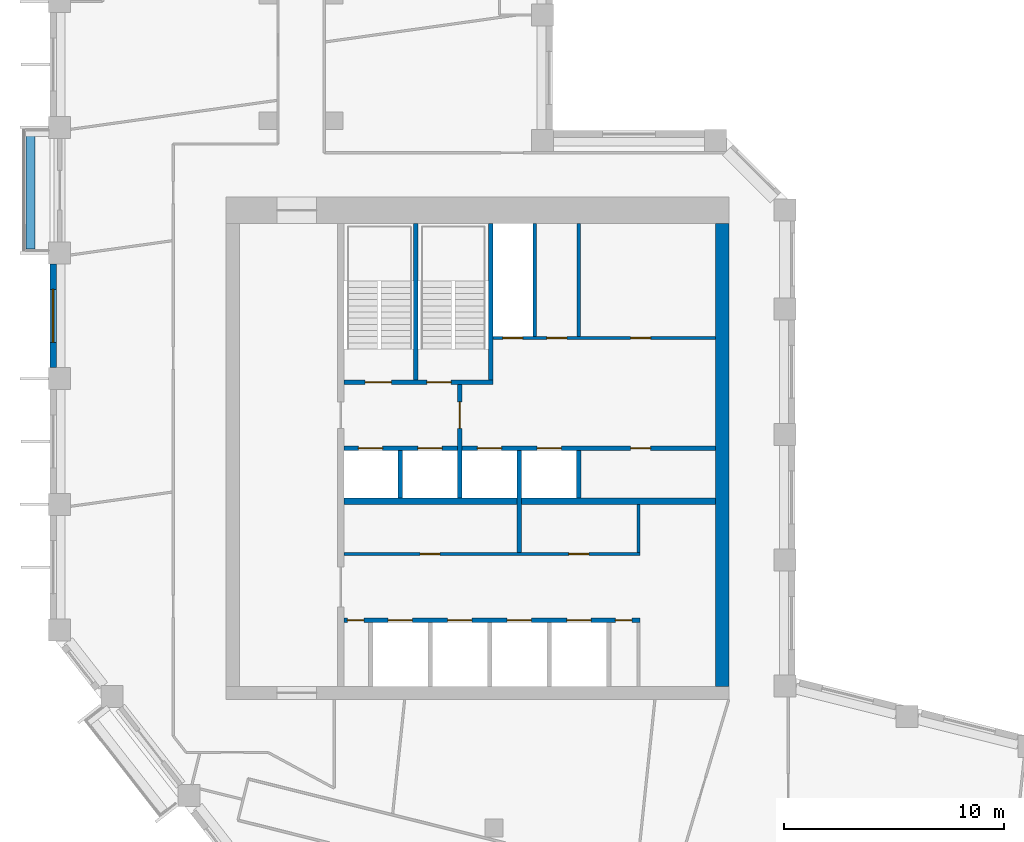
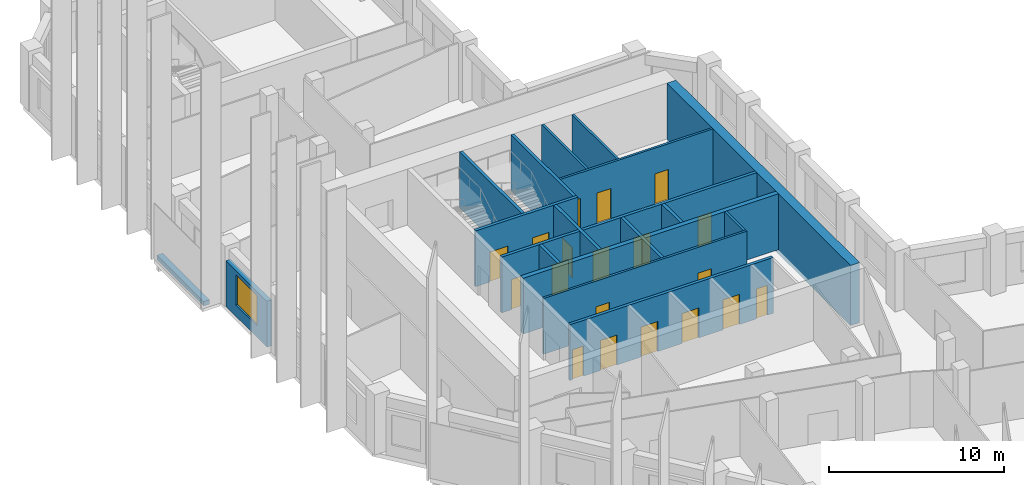
# One storey, part 5 of 9: 19 doors, 18 walls, 1 window, 20 openings.
"""IFC4 building model written with IfcOpenShell, lengths in metres."""

from ifc_helpers import new_model, si_unit, direction, frame, frame_2d, origin, place, context, subcontext, project, spatial, rectangle, extrude, material, layer, layer_set, type_object, element, fill, save


model = new_model("IFC4")

# Units and contexts
model_context = context("Model", 3, precision=1e-05, world=origin(), true_north=direction((0.0, 1.0)))
body_context = subcontext(model_context, "Body", "Model", "MODEL_VIEW")
ifc_project = project(units=[si_unit("LENGTHUNIT", "METRE"), si_unit("AREAUNIT", "SQUARE_METRE"), si_unit("VOLUMEUNIT", "CUBIC_METRE"), si_unit("PLANEANGLEUNIT", "RADIAN"), si_unit("MASSUNIT", "GRAM", prefix="KILO")], contexts=[model_context])

# Site, building, storey
site_placement = place(None, origin())
site = spatial("IfcSite", under=ifc_project, at=site_placement, CompositionType="ELEMENT")
building_placement = place(site_placement, origin())
building = spatial("IfcBuilding", under=site, at=building_placement, Name="Meshkara Civic Tower", CompositionType="ELEMENT")
storey_placement = place(building_placement, frame((0.0, 0.0, 323.39990234375)))
storey = spatial("IfcBuildingStorey", under=building, at=storey_placement, Name="L74", CompositionType="ELEMENT", Elevation=323.39990234375)

# Wall, openings, doors
ifc_material_1 = material(Name="Blockwork", Category="masonry")
ifc_layer_1 = layer(ifc_material_1, 0.14990234375)
ifc_layer_set_1 = layer_set([ifc_layer_1], Name="Core partition 150")
wall_type_1 = type_object("IfcWallType", Name="Core partition 150", PredefinedType="PARTITIONING", material=ifc_layer_set_1)
wall_1_placement = place(storey_placement, frame((13.35009765625, 20.699951171875, 0.0), z_axis=(0.0, 0.0, 1.0), x_axis=(1.0, 0.0, 0.0)))
wall_1 = element("IfcWall", 1, at=wall_1_placement, inside=storey, type_object=wall_type_1, Name="L74-C006", PredefinedType="PARTITIONING", context=body_context, shape_type="SweptSolid", body=[
    extrude(rectangle(XDim=13.4248046875, YDim=0.14990234375, at=frame_2d((6.71240234375, 0.0))), origin(), (0.0, 0.0, 1.0), 3.900146484375),
])
opening_1_placement = place(wall_1_placement, frame((3.449951171875, 0.0, 0.0)))
opening_1 = element("IfcOpeningElement", 2, at=opening_1_placement, cuts=wall_1, Name="Opening L74-K011", PredefinedType="OPENING", context=body_context, shape_type="SweptSolid", body=[
    extrude(rectangle(XDim=0.89990234375, YDim=2.10009765625, at=frame_2d((0.449951171875, 1.050048828125))), frame((0.0, 0.0849609375, 0.0), z_axis=(0.0, -1.0, 0.0), x_axis=(1.0, 0.0, 0.0)), (0.0, 0.0, 1.0), 0.169921875),
])
opening_2_placement = place(wall_1_placement, frame((10.199951171875, 0.0, 0.0)))
opening_2 = element("IfcOpeningElement", 3, at=opening_2_placement, cuts=wall_1, Name="Opening L74-K012", PredefinedType="OPENING", context=body_context, shape_type="SweptSolid", body=[
    extrude(rectangle(XDim=0.89990234375, YDim=2.10009765625, at=frame_2d((0.449951171875, 1.050048828125))), frame((0.0, 0.0849609375, 0.0), z_axis=(0.0, -1.0, 0.0), x_axis=(1.0, 0.0, 0.0)), (0.0, 0.0, 1.0), 0.169921875),
])
ifc_material_2 = material(Name="Timber door leaf in steel frame", Category="steel")
door_type_1 = type_object("IfcDoorType", Name="Core room door 900", OperationType="SINGLE_SWING_LEFT", PredefinedType="DOOR", material=ifc_material_2)
door_1_placement = place(opening_1_placement, origin())
door_1 = element("IfcDoor", 4, at=door_1_placement, inside=storey, type_object=door_type_1, Name="L74-K011", OperationType="SINGLE_SWING_RIGHT", OverallHeight=2.10009765625, OverallWidth=0.89990234375, PredefinedType="DOOR", context=body_context, shape_type="SweptSolid", body=[
    extrude(rectangle(XDim=0.89990234375, YDim=2.10009765625, at=frame_2d((0.449951171875, 1.050048828125))), frame((0.0, 0.02490234375, 0.0), z_axis=(0.0, -1.0, 0.0), x_axis=(1.0, 0.0, 0.0)), (0.0, 0.0, 1.0), 0.050048828125),
])
fill(opening_1, door_1)
door_2_placement = place(opening_2_placement, origin())
door_2 = element("IfcDoor", 5, at=door_2_placement, inside=storey, type_object=door_type_1, Name="L74-K012", OperationType="SINGLE_SWING_RIGHT", OverallHeight=2.10009765625, OverallWidth=0.89990234375, PredefinedType="DOOR", context=body_context, shape_type="SweptSolid", body=[
    extrude(rectangle(XDim=0.89990234375, YDim=2.10009765625, at=frame_2d((0.449951171875, 1.050048828125))), frame((0.0, 0.02490234375, 0.0), z_axis=(0.0, -1.0, 0.0), x_axis=(1.0, 0.0, 0.0)), (0.0, 0.0, 1.0), 0.050048828125),
])
fill(opening_2, door_2)

wall_2_placement = place(storey_placement, frame((20.10009765625, 30.5, 0.0), z_axis=(0.0, 0.0, 1.0), x_axis=(1.0, 0.0, 0.0)))
wall_2 = element("IfcWall", 6, at=wall_2_placement, inside=storey, type_object=wall_type_1, Name="L74-C010", PredefinedType="PARTITIONING", context=body_context, shape_type="SweptSolid", body=[
    extrude(rectangle(XDim=10.099853515625, YDim=0.14990234375, at=frame_2d((5.0498046875, 0.0))), origin(), (0.0, 0.0, 1.0), 3.900146484375),
])
opening_3_placement = place(wall_2_placement, frame((0.449951171875, 0.0, 0.0)))
opening_3 = element("IfcOpeningElement", 7, at=opening_3_placement, cuts=wall_2, Name="Opening L74-K014", PredefinedType="OPENING", context=body_context, shape_type="SweptSolid", body=[
    extrude(rectangle(XDim=0.89990234375, YDim=2.10009765625, at=frame_2d((0.449951171875, 1.050048828125))), frame((0.0, 0.0849609375, 0.0), z_axis=(0.0, -1.0, 0.0), x_axis=(1.0, 0.0, 0.0)), (0.0, 0.0, 1.0), 0.169921875),
])
opening_4_placement = place(wall_2_placement, frame((2.449951171875, 0.0, 0.0)))
opening_4 = element("IfcOpeningElement", 8, at=opening_4_placement, cuts=wall_2, Name="Opening L74-K015", PredefinedType="OPENING", context=body_context, shape_type="SweptSolid", body=[
    extrude(rectangle(XDim=0.89990234375, YDim=2.10009765625, at=frame_2d((0.449951171875, 1.050048828125))), frame((0.0, 0.0849609375, 0.0), z_axis=(0.0, -1.0, 0.0), x_axis=(1.0, 0.0, 0.0)), (0.0, 0.0, 1.0), 0.169921875),
])
opening_5_placement = place(wall_2_placement, frame((6.25, 0.0, 0.0)))
opening_5 = element("IfcOpeningElement", 9, at=opening_5_placement, cuts=wall_2, Name="Opening L74-K016", PredefinedType="OPENING", context=body_context, shape_type="SweptSolid", body=[
    extrude(rectangle(XDim=0.89990234375, YDim=2.10009765625, at=frame_2d((0.449951171875, 1.050048828125))), frame((0.0, 0.0849609375, 0.0), z_axis=(0.0, -1.0, 0.0), x_axis=(1.0, 0.0, 0.0)), (0.0, 0.0, 1.0), 0.169921875),
])
door_3_placement = place(opening_5_placement, origin())
door_3 = element("IfcDoor", 10, at=door_3_placement, inside=storey, type_object=door_type_1, Name="L74-K016", OperationType="SINGLE_SWING_RIGHT", OverallHeight=2.10009765625, OverallWidth=0.89990234375, PredefinedType="DOOR", context=body_context, shape_type="SweptSolid", body=[
    extrude(rectangle(XDim=0.89990234375, YDim=2.10009765625, at=frame_2d((0.449951171875, 1.050048828125))), frame((0.0, 0.02490234375, 0.0), z_axis=(0.0, -1.0, 0.0), x_axis=(1.0, 0.0, 0.0)), (0.0, 0.0, 1.0), 0.050048828125),
])
fill(opening_5, door_3)
ifc_material_3 = material(Name="Fire-rated door leaf in steel frame", Category="steel")
door_type_2 = type_object("IfcDoorType", Name="Riser door 900", OperationType="SINGLE_SWING_LEFT", PredefinedType="DOOR", material=ifc_material_3)
door_4_placement = place(opening_3_placement, origin())
door_4 = element("IfcDoor", 11, at=door_4_placement, inside=storey, type_object=door_type_2, Name="L74-K014", OperationType="SINGLE_SWING_RIGHT", OverallHeight=2.10009765625, OverallWidth=0.89990234375, PredefinedType="DOOR", context=body_context, shape_type="SweptSolid", body=[
    extrude(rectangle(XDim=0.89990234375, YDim=2.10009765625, at=frame_2d((0.449951171875, 1.050048828125))), frame((0.0, 0.02490234375, 0.0), z_axis=(0.0, -1.0, 0.0), x_axis=(1.0, 0.0, 0.0)), (0.0, 0.0, 1.0), 0.050048828125),
])
fill(opening_3, door_4)
ifc_material_4 = material(Name="Timber door leaf in steel frame", Category="steel")
door_type_3 = type_object("IfcDoorType", Name="WC door 900", OperationType="SINGLE_SWING_LEFT", PredefinedType="DOOR", material=ifc_material_4)
door_5_placement = place(opening_4_placement, origin())
door_5 = element("IfcDoor", 12, at=door_5_placement, inside=storey, type_object=door_type_3, Name="L74-K015", OperationType="SINGLE_SWING_LEFT", OverallHeight=2.10009765625, OverallWidth=0.89990234375, PredefinedType="DOOR", context=body_context, shape_type="SweptSolid", body=[
    extrude(rectangle(XDim=0.89990234375, YDim=2.10009765625, at=frame_2d((0.449951171875, 1.050048828125))), frame((0.0, 0.02490234375, 0.0), z_axis=(0.0, -1.0, 0.0), x_axis=(1.0, 0.0, 0.0)), (0.0, 0.0, 1.0), 0.050048828125),
])
fill(opening_4, door_5)

# Walls
for number, where, z_axis, x_axis, name in (
    (13, (22.0, 30.574951171875, 0.0), (0.0, 0.0, 1.0), (0.0, 1.0, 0.0), "L74-C020"),
    (14, (24.0, 30.574951171875, 0.0), (0.0, 0.0, 1.0), (0.0, 1.0, 0.0), "L74-C023"),
):
    element("IfcWall", number, at=place(storey_placement, frame(where, z_axis=z_axis, x_axis=x_axis)), inside=storey, type_object=wall_type_1, Name=name, PredefinedType="PARTITIONING", context=body_context, shape_type="SweptSolid", body=[
        extrude(rectangle(XDim=5.125, YDim=0.14990234375, at=frame_2d((2.5625, 0.0))), origin(), (0.0, 0.0, 1.0), 3.900146484375),
    ])
wall_3_placement = place(storey_placement, frame((26.699951171875, 20.77490234375, 0.0), z_axis=(0.0, 0.0, 1.0), x_axis=(0.0, 1.0, 0.0)))
element("IfcWall", 15, at=wall_3_placement, inside=storey, type_object=wall_type_1, Name="L74-C026", PredefinedType="PARTITIONING", context=body_context, shape_type="SweptSolid", body=[
    extrude(rectangle(XDim=2.175048828125, YDim=0.14990234375, at=frame_2d((1.08740234375, 0.0))), origin(), (0.0, 0.0, 1.0), 3.900146484375),
])
ifc_material_5 = material(Name="Concrete C60", Category="concrete")
ifc_layer_2 = layer(ifc_material_5, 0.60009765625)
ifc_layer_set_2 = layer_set([ifc_layer_2], Name="Core ring wall 600 C60")
wall_type_2 = type_object("IfcWallType", Name="Core ring wall 600 C60", PredefinedType="SHEAR", material=ifc_layer_set_2)
wall_4_placement = place(storey_placement, frame((30.5, 14.699951171875, -0.2998046875), z_axis=(0.0, 0.0, 1.0), x_axis=(0.0, 1.0, 0.0)))
element("IfcWall", 16, at=wall_4_placement, inside=storey, type_object=wall_type_2, Name="L74-C004", PredefinedType="SHEAR", context=body_context, shape_type="SweptSolid", body=[
    extrude(rectangle(XDim=21.0, YDim=0.60009765625, at=frame_2d((10.5, 0.0))), origin(), (0.0, 0.0, 1.0), 4.199951171875),
])
ifc_material_6 = material(Name="Concrete C60", Category="concrete")
ifc_layer_3 = layer(ifc_material_6, 0.300048828125)
ifc_layer_set_3 = layer_set([ifc_layer_3], Name="Core shear wall 300 C60")
wall_type_3 = type_object("IfcWallType", Name="Core shear wall 300 C60", PredefinedType="SHEAR", material=ifc_layer_set_3)
wall_5_placement = place(storey_placement, frame((13.35009765625, 23.10009765625, 0.0), z_axis=(0.0, 0.0, 1.0), x_axis=(1.0, 0.0, 0.0)))
element("IfcWall", 17, at=wall_5_placement, inside=storey, type_object=wall_type_3, Name="L74-C007", PredefinedType="SHEAR", context=body_context, shape_type="SweptSolid", body=[
    extrude(rectangle(XDim=16.849853515625, YDim=0.300048828125, at=frame_2d((8.4248046875, 0.0))), origin(), (0.0, 0.0, 1.0), 3.900146484375),
])

# Wall, opening, window
ifc_material_7 = material(Name="Insulated infill panel with bronze anodised aluminium cladding", Category="aluminium")
ifc_layer_4 = layer(ifc_material_7, 0.300048828125)
ifc_layer_set_4 = layer_set([ifc_layer_4], Name="EXTERNAL INFILL WALL 300")
wall_type_4 = type_object("IfcWallType", Name="EXTERNAL INFILL WALL 300", PredefinedType="SOLIDWALL", material=ifc_layer_set_4)
wall_6_placement = place(storey_placement, frame((0.14990234375, 33.85498046875, 0.0), z_axis=(0.0, 0.0, 1.0), x_axis=(0.0, -1.0, 0.0)))
wall_6 = element("IfcWall", 18, at=wall_6_placement, inside=storey, type_object=wall_type_4, Name="External wall", PredefinedType="SOLIDWALL", context=body_context, shape_type="SweptSolid", body=[
    extrude(rectangle(XDim=4.699951171875, YDim=0.300048828125, at=frame_2d((2.35009765625, 0.0))), origin(), (0.0, 0.0, 1.0), 3.2001953125),
])
opening_6_placement = place(wall_6_placement, frame((1.14990234375, 0.0, 0.800048828125)))
opening_6 = element("IfcOpeningElement", 19, at=opening_6_placement, cuts=wall_6, Name="Opening W7", PredefinedType="OPENING", context=body_context, shape_type="SweptSolid", body=[
    extrude(rectangle(XDim=2.39990234375, YDim=2.10009765625, at=frame_2d((1.199951171875, 1.050048828125))), frame((0.0, 0.159912109375, 0.0), z_axis=(0.0, -1.0, 0.0), x_axis=(1.0, 0.0, 0.0)), (0.0, 0.0, 1.0), 0.320068359375),
])
ifc_material_8 = material(Name="Tinted double glazing", Category="glass")
window_type = type_object("IfcWindowType", Name="WINDOW 2400x2100", PartitioningType="DOUBLE_PANEL_VERTICAL", PredefinedType="WINDOW", material=ifc_material_8)
window_placement = place(opening_6_placement, origin())
window = element("IfcWindow", 20, at=window_placement, inside=storey, type_object=window_type, Name="Window", OverallHeight=2.10009765625, OverallWidth=2.39990234375, PartitioningType="DOUBLE_PANEL_VERTICAL", PredefinedType="WINDOW", context=body_context, shape_type="SweptSolid", body=[
    extrude(rectangle(XDim=2.39990234375, YDim=2.10009765625, at=frame_2d((1.199951171875, 1.050048828125))), frame((0.0, 0.030029296875, 0.0), z_axis=(0.0, -1.0, 0.0), x_axis=(1.0, 0.0, 0.0)), (0.0, 0.0, 1.0), 0.06005859375),
])
fill(opening_6, window)

# Wall
ifc_material_9 = material(Name="Concrete C40", Category="concrete")
ifc_layer_5 = layer(ifc_material_9, 0.39990234375)
ifc_layer_set_5 = layer_set([ifc_layer_5], Name="PLANTER TRAY")
wall_type_5 = type_object("IfcWallType", Name="PLANTER TRAY", PredefinedType="SOLIDWALL", material=ifc_layer_set_5)
wall_7_placement = place(storey_placement, frame((-0.8798828125, 39.885009765625, 0.0), z_axis=(0.0, 0.0, 1.0), x_axis=(0.0, -1.0, 0.0)))
element("IfcWall", 21, at=wall_7_placement, inside=storey, type_object=wall_type_5, Name="Planter", PredefinedType="SOLIDWALL", context=body_context, shape_type="SweptSolid", body=[
    extrude(rectangle(XDim=5.360107421875, YDim=0.39990234375, at=frame_2d((2.68017578125, 0.0))), origin(), (0.0, 0.0, 1.0), 0.300048828125),
])

# Wall, openings, doors
ifc_material_10 = material(Name="Concrete C40/50", Category="concrete")
ifc_layer_6 = layer(ifc_material_10, 0.199951171875)
ifc_layer_set_6 = layer_set([ifc_layer_6], Name="Shaft wall 200 C40/50")
wall_type_6 = type_object("IfcWallType", Name="Shaft wall 200 C40/50", PredefinedType="SOLIDWALL", material=ifc_layer_set_6)
wall_8_placement = place(storey_placement, frame((13.35009765625, 17.699951171875, 0.0), z_axis=(0.0, 0.0, 1.0), x_axis=(1.0, 0.0, 0.0)))
wall_8 = element("IfcWall", 22, at=wall_8_placement, inside=storey, type_object=wall_type_6, Name="L74-C005", PredefinedType="SOLIDWALL", context=body_context, shape_type="SweptSolid", body=[
    extrude(rectangle(XDim=13.4248046875, YDim=0.199951171875, at=frame_2d((6.71240234375, 0.0))), origin(), (0.0, 0.0, 1.0), 3.900146484375),
])
opening_7_placement = place(wall_8_placement, frame((2.0, 0.0, 0.0)))
opening_7 = element("IfcOpeningElement", 23, at=opening_7_placement, cuts=wall_8, Name="Opening L74-K001", PredefinedType="OPENING", context=body_context, shape_type="SweptSolid", body=[
    extrude(rectangle(XDim=1.10009765625, YDim=2.10009765625, at=frame_2d((0.550048828125, 1.050048828125))), frame((0.0, 0.10986328125, 0.0), z_axis=(0.0, -1.0, 0.0), x_axis=(1.0, 0.0, 0.0)), (0.0, 0.0, 1.0), 0.219970703125),
])
opening_8_placement = place(wall_8_placement, frame((4.699951171875, 0.0, 0.0)))
opening_8 = element("IfcOpeningElement", 24, at=opening_8_placement, cuts=wall_8, Name="Opening L74-K002", PredefinedType="OPENING", context=body_context, shape_type="SweptSolid", body=[
    extrude(rectangle(XDim=1.10009765625, YDim=2.10009765625, at=frame_2d((0.550048828125, 1.050048828125))), frame((0.0, 0.10986328125, 0.0), z_axis=(0.0, -1.0, 0.0), x_axis=(1.0, 0.0, 0.0)), (0.0, 0.0, 1.0), 0.219970703125),
])
opening_9_placement = place(wall_8_placement, frame((7.39990234375, 0.0, 0.0)))
opening_9 = element("IfcOpeningElement", 25, at=opening_9_placement, cuts=wall_8, Name="Opening L74-K003", PredefinedType="OPENING", context=body_context, shape_type="SweptSolid", body=[
    extrude(rectangle(XDim=1.10009765625, YDim=2.10009765625, at=frame_2d((0.550048828125, 1.050048828125))), frame((0.0, 0.10986328125, 0.0), z_axis=(0.0, -1.0, 0.0), x_axis=(1.0, 0.0, 0.0)), (0.0, 0.0, 1.0), 0.219970703125),
])
opening_10_placement = place(wall_8_placement, frame((10.10009765625, 0.0, 0.0)))
opening_10 = element("IfcOpeningElement", 26, at=opening_10_placement, cuts=wall_8, Name="Opening L74-K004", PredefinedType="OPENING", context=body_context, shape_type="SweptSolid", body=[
    extrude(rectangle(XDim=1.10009765625, YDim=2.10009765625, at=frame_2d((0.550048828125, 1.050048828125))), frame((0.0, 0.10986328125, 0.0), z_axis=(0.0, -1.0, 0.0), x_axis=(1.0, 0.0, 0.0)), (0.0, 0.0, 1.0), 0.219970703125),
])
opening_11_placement = place(wall_8_placement, frame((0.14990234375, 0.0, 0.0)))
opening_11 = element("IfcOpeningElement", 27, at=opening_11_placement, cuts=wall_8, Name="Opening L74-K009", PredefinedType="OPENING", context=body_context, shape_type="SweptSolid", body=[
    extrude(rectangle(XDim=0.75, YDim=2.10009765625, at=frame_2d((0.375, 1.050048828125))), frame((0.0, 0.10986328125, 0.0), z_axis=(0.0, -1.0, 0.0), x_axis=(1.0, 0.0, 0.0)), (0.0, 0.0, 1.0), 0.219970703125),
])
opening_12_placement = place(wall_8_placement, frame((12.300048828125, 0.0, 0.0)))
opening_12 = element("IfcOpeningElement", 28, at=opening_12_placement, cuts=wall_8, Name="Opening L74-K010", PredefinedType="OPENING", context=body_context, shape_type="SweptSolid", body=[
    extrude(rectangle(XDim=0.75, YDim=2.10009765625, at=frame_2d((0.375, 1.050048828125))), frame((0.0, 0.10986328125, 0.0), z_axis=(0.0, -1.0, 0.0), x_axis=(1.0, 0.0, 0.0)), (0.0, 0.0, 1.0), 0.219970703125),
])
ifc_material_11 = material(Name="Timber door leaf in steel frame", Category="steel")
door_type_4 = type_object("IfcDoorType", Name="Core room door 750", OperationType="SINGLE_SWING_LEFT", PredefinedType="DOOR", material=ifc_material_11)
door_6_placement = place(opening_11_placement, origin())
door_6 = element("IfcDoor", 29, at=door_6_placement, inside=storey, type_object=door_type_4, Name="L74-K009", OperationType="SINGLE_SWING_RIGHT", OverallHeight=2.10009765625, OverallWidth=0.75, PredefinedType="DOOR", context=body_context, shape_type="SweptSolid", body=[
    extrude(rectangle(XDim=0.75, YDim=2.10009765625, at=frame_2d((0.375, 1.050048828125))), frame((0.0, 0.02490234375, 0.0), z_axis=(0.0, -1.0, 0.0), x_axis=(1.0, 0.0, 0.0)), (0.0, 0.0, 1.0), 0.050048828125),
])
fill(opening_11, door_6)
door_7_placement = place(opening_12_placement, origin())
door_7 = element("IfcDoor", 30, at=door_7_placement, inside=storey, type_object=door_type_4, Name="L74-K010", OperationType="SINGLE_SWING_RIGHT", OverallHeight=2.10009765625, OverallWidth=0.75, PredefinedType="DOOR", context=body_context, shape_type="SweptSolid", body=[
    extrude(rectangle(XDim=0.75, YDim=2.10009765625, at=frame_2d((0.375, 1.050048828125))), frame((0.0, 0.02490234375, 0.0), z_axis=(0.0, -1.0, 0.0), x_axis=(1.0, 0.0, 0.0)), (0.0, 0.0, 1.0), 0.050048828125),
])
fill(opening_12, door_7)
ifc_material_12 = material(Name="Stainless steel landing door", Category="steel")
door_type_5 = type_object("IfcDoorType", Name="Lift landing door 1100", OperationType="SLIDING_TO_LEFT", PredefinedType="DOOR", material=ifc_material_12)
door_8_placement = place(opening_7_placement, origin())
door_8 = element("IfcDoor", 31, at=door_8_placement, inside=storey, type_object=door_type_5, Name="L74-K001", OperationType="SLIDING_TO_LEFT", OverallHeight=2.10009765625, OverallWidth=1.10009765625, PredefinedType="DOOR", context=body_context, shape_type="SweptSolid", body=[
    extrude(rectangle(XDim=1.10009765625, YDim=2.10009765625, at=frame_2d((0.550048828125, 1.050048828125))), frame((0.0, 0.02490234375, 0.0), z_axis=(0.0, -1.0, 0.0), x_axis=(1.0, 0.0, 0.0)), (0.0, 0.0, 1.0), 0.050048828125),
])
fill(opening_7, door_8)
door_9_placement = place(opening_8_placement, origin())
door_9 = element("IfcDoor", 32, at=door_9_placement, inside=storey, type_object=door_type_5, Name="L74-K002", OperationType="SLIDING_TO_LEFT", OverallHeight=2.10009765625, OverallWidth=1.10009765625, PredefinedType="DOOR", context=body_context, shape_type="SweptSolid", body=[
    extrude(rectangle(XDim=1.10009765625, YDim=2.10009765625, at=frame_2d((0.550048828125, 1.050048828125))), frame((0.0, 0.02490234375, 0.0), z_axis=(0.0, -1.0, 0.0), x_axis=(1.0, 0.0, 0.0)), (0.0, 0.0, 1.0), 0.050048828125),
])
fill(opening_8, door_9)
door_10_placement = place(opening_9_placement, origin())
door_10 = element("IfcDoor", 33, at=door_10_placement, inside=storey, type_object=door_type_5, Name="L74-K003", OperationType="SLIDING_TO_LEFT", OverallHeight=2.10009765625, OverallWidth=1.10009765625, PredefinedType="DOOR", context=body_context, shape_type="SweptSolid", body=[
    extrude(rectangle(XDim=1.10009765625, YDim=2.10009765625, at=frame_2d((0.550048828125, 1.050048828125))), frame((0.0, 0.02490234375, 0.0), z_axis=(0.0, -1.0, 0.0), x_axis=(1.0, 0.0, 0.0)), (0.0, 0.0, 1.0), 0.050048828125),
])
fill(opening_9, door_10)
door_11_placement = place(opening_10_placement, origin())
door_11 = element("IfcDoor", 34, at=door_11_placement, inside=storey, type_object=door_type_5, Name="L74-K004", OperationType="SLIDING_TO_LEFT", OverallHeight=2.10009765625, OverallWidth=1.10009765625, PredefinedType="DOOR", context=body_context, shape_type="SweptSolid", body=[
    extrude(rectangle(XDim=1.10009765625, YDim=2.10009765625, at=frame_2d((0.550048828125, 1.050048828125))), frame((0.0, 0.02490234375, 0.0), z_axis=(0.0, -1.0, 0.0), x_axis=(1.0, 0.0, 0.0)), (0.0, 0.0, 1.0), 0.050048828125),
])
fill(opening_10, door_11)

wall_9_placement = place(storey_placement, frame((13.35009765625, 25.5, 0.0), z_axis=(0.0, 0.0, 1.0), x_axis=(1.0, 0.0, 0.0)))
wall_9 = element("IfcWall", 35, at=wall_9_placement, inside=storey, type_object=wall_type_6, Name="L74-C008", PredefinedType="SOLIDWALL", context=body_context, shape_type="SweptSolid", body=[
    extrude(rectangle(XDim=16.849853515625, YDim=0.199951171875, at=frame_2d((8.4248046875, 0.0))), origin(), (0.0, 0.0, 1.0), 3.900146484375),
])
opening_13_placement = place(wall_9_placement, frame((0.64990234375, 0.0, 0.0)))
opening_13 = element("IfcOpeningElement", 36, at=opening_13_placement, cuts=wall_9, Name="Opening L74-K005", PredefinedType="OPENING", context=body_context, shape_type="SweptSolid", body=[
    extrude(rectangle(XDim=1.10009765625, YDim=2.10009765625, at=frame_2d((0.550048828125, 1.050048828125))), frame((0.0, 0.10986328125, 0.0), z_axis=(0.0, -1.0, 0.0), x_axis=(1.0, 0.0, 0.0)), (0.0, 0.0, 1.0), 0.219970703125),
])
opening_14_placement = place(wall_9_placement, frame((3.35009765625, 0.0, 0.0)))
opening_14 = element("IfcOpeningElement", 37, at=opening_14_placement, cuts=wall_9, Name="Opening L74-K006", PredefinedType="OPENING", context=body_context, shape_type="SweptSolid", body=[
    extrude(rectangle(XDim=1.10009765625, YDim=2.10009765625, at=frame_2d((0.550048828125, 1.050048828125))), frame((0.0, 0.10986328125, 0.0), z_axis=(0.0, -1.0, 0.0), x_axis=(1.0, 0.0, 0.0)), (0.0, 0.0, 1.0), 0.219970703125),
])
opening_15_placement = place(wall_9_placement, frame((6.050048828125, 0.0, 0.0)))
opening_15 = element("IfcOpeningElement", 38, at=opening_15_placement, cuts=wall_9, Name="Opening L74-K007", PredefinedType="OPENING", context=body_context, shape_type="SweptSolid", body=[
    extrude(rectangle(XDim=1.10009765625, YDim=2.10009765625, at=frame_2d((0.550048828125, 1.050048828125))), frame((0.0, 0.10986328125, 0.0), z_axis=(0.0, -1.0, 0.0), x_axis=(1.0, 0.0, 0.0)), (0.0, 0.0, 1.0), 0.219970703125),
])
opening_16_placement = place(wall_9_placement, frame((8.75, 0.0, 0.0)))
opening_16 = element("IfcOpeningElement", 39, at=opening_16_placement, cuts=wall_9, Name="Opening L74-K008", PredefinedType="OPENING", context=body_context, shape_type="SweptSolid", body=[
    extrude(rectangle(XDim=1.10009765625, YDim=2.10009765625, at=frame_2d((0.550048828125, 1.050048828125))), frame((0.0, 0.10986328125, 0.0), z_axis=(0.0, -1.0, 0.0), x_axis=(1.0, 0.0, 0.0)), (0.0, 0.0, 1.0), 0.219970703125),
])
opening_17_placement = place(wall_9_placement, frame((13.0, 0.0, 0.0)))
opening_17 = element("IfcOpeningElement", 40, at=opening_17_placement, cuts=wall_9, Name="Opening L74-K013", PredefinedType="OPENING", context=body_context, shape_type="SweptSolid", body=[
    extrude(rectangle(XDim=0.89990234375, YDim=2.10009765625, at=frame_2d((0.449951171875, 1.050048828125))), frame((0.0, 0.10986328125, 0.0), z_axis=(0.0, -1.0, 0.0), x_axis=(1.0, 0.0, 0.0)), (0.0, 0.0, 1.0), 0.219970703125),
])
door_12_placement = place(opening_17_placement, origin())
door_12 = element("IfcDoor", 41, at=door_12_placement, inside=storey, type_object=door_type_1, Name="L74-K013", OperationType="SINGLE_SWING_LEFT", OverallHeight=2.10009765625, OverallWidth=0.89990234375, PredefinedType="DOOR", context=body_context, shape_type="SweptSolid", body=[
    extrude(rectangle(XDim=0.89990234375, YDim=2.10009765625, at=frame_2d((0.449951171875, 1.050048828125))), frame((0.0, 0.02490234375, 0.0), z_axis=(0.0, -1.0, 0.0), x_axis=(1.0, 0.0, 0.0)), (0.0, 0.0, 1.0), 0.050048828125),
])
fill(opening_17, door_12)
door_13_placement = place(opening_13_placement, origin())
door_13 = element("IfcDoor", 42, at=door_13_placement, inside=storey, type_object=door_type_5, Name="L74-K005", OperationType="SLIDING_TO_LEFT", OverallHeight=2.10009765625, OverallWidth=1.10009765625, PredefinedType="DOOR", context=body_context, shape_type="SweptSolid", body=[
    extrude(rectangle(XDim=1.10009765625, YDim=2.10009765625, at=frame_2d((0.550048828125, 1.050048828125))), frame((0.0, 0.02490234375, 0.0), z_axis=(0.0, -1.0, 0.0), x_axis=(1.0, 0.0, 0.0)), (0.0, 0.0, 1.0), 0.050048828125),
])
fill(opening_13, door_13)
door_14_placement = place(opening_14_placement, origin())
door_14 = element("IfcDoor", 43, at=door_14_placement, inside=storey, type_object=door_type_5, Name="L74-K006", OperationType="SLIDING_TO_LEFT", OverallHeight=2.10009765625, OverallWidth=1.10009765625, PredefinedType="DOOR", context=body_context, shape_type="SweptSolid", body=[
    extrude(rectangle(XDim=1.10009765625, YDim=2.10009765625, at=frame_2d((0.550048828125, 1.050048828125))), frame((0.0, 0.02490234375, 0.0), z_axis=(0.0, -1.0, 0.0), x_axis=(1.0, 0.0, 0.0)), (0.0, 0.0, 1.0), 0.050048828125),
])
fill(opening_14, door_14)
door_15_placement = place(opening_15_placement, origin())
door_15 = element("IfcDoor", 44, at=door_15_placement, inside=storey, type_object=door_type_5, Name="L74-K007", OperationType="SLIDING_TO_LEFT", OverallHeight=2.10009765625, OverallWidth=1.10009765625, PredefinedType="DOOR", context=body_context, shape_type="SweptSolid", body=[
    extrude(rectangle(XDim=1.10009765625, YDim=2.10009765625, at=frame_2d((0.550048828125, 1.050048828125))), frame((0.0, 0.02490234375, 0.0), z_axis=(0.0, -1.0, 0.0), x_axis=(1.0, 0.0, 0.0)), (0.0, 0.0, 1.0), 0.050048828125),
])
fill(opening_15, door_15)
door_16_placement = place(opening_16_placement, origin())
door_16 = element("IfcDoor", 45, at=door_16_placement, inside=storey, type_object=door_type_5, Name="L74-K008", OperationType="SLIDING_TO_LEFT", OverallHeight=2.10009765625, OverallWidth=1.10009765625, PredefinedType="DOOR", context=body_context, shape_type="SweptSolid", body=[
    extrude(rectangle(XDim=1.10009765625, YDim=2.10009765625, at=frame_2d((0.550048828125, 1.050048828125))), frame((0.0, 0.02490234375, 0.0), z_axis=(0.0, -1.0, 0.0), x_axis=(1.0, 0.0, 0.0)), (0.0, 0.0, 1.0), 0.050048828125),
])
fill(opening_16, door_16)

# Wall
wall_10_placement = place(storey_placement, frame((15.89990234375, 23.25, 0.0), z_axis=(0.0, 0.0, 1.0), x_axis=(0.0, 1.0, 0.0)))
element("IfcWall", 46, at=wall_10_placement, inside=storey, type_object=wall_type_6, Name="L74-C013", PredefinedType="SOLIDWALL", context=body_context, shape_type="SweptSolid", body=[
    extrude(rectangle(XDim=2.14990234375, YDim=0.199951171875, at=frame_2d((1.074951171875, 0.0))), origin(), (0.0, 0.0, 1.0), 3.900146484375),
])

# Wall, opening, door
wall_11_placement = place(storey_placement, frame((18.60009765625, 23.25, 0.0), z_axis=(0.0, 0.0, 1.0), x_axis=(0.0, 1.0, 0.0)))
wall_11 = element("IfcWall", 47, at=wall_11_placement, inside=storey, type_object=wall_type_6, Name="L74-C016", PredefinedType="SOLIDWALL", context=body_context, shape_type="SweptSolid", body=[
    extrude(rectangle(XDim=5.14990234375, YDim=0.199951171875, at=frame_2d((2.574951171875, 0.0))), origin(), (0.0, 0.0, 1.0), 3.900146484375),
])
opening_18_placement = place(wall_11_placement, frame((3.14990234375, 0.0, 0.0)))
opening_18 = element("IfcOpeningElement", 48, at=opening_18_placement, cuts=wall_11, Name="Opening L74-K021", PredefinedType="OPENING", context=body_context, shape_type="SweptSolid", body=[
    extrude(rectangle(XDim=1.199951171875, YDim=2.10009765625, at=frame_2d((0.60009765625, 1.050048828125))), frame((0.0, 0.10986328125, 0.0), z_axis=(0.0, -1.0, 0.0), x_axis=(1.0, 0.0, 0.0)), (0.0, 0.0, 1.0), 0.219970703125),
])
ifc_material_13 = material(Name="Fire-rated door leaf in steel frame", Category="steel")
door_type_6 = type_object("IfcDoorType", Name="Fire-fighting lobby door 1200 EI 120", OperationType="SINGLE_SWING_LEFT", PredefinedType="DOOR", material=ifc_material_13)
door_17_placement = place(opening_18_placement, origin())
door_17 = element("IfcDoor", 49, at=door_17_placement, inside=storey, type_object=door_type_6, Name="L74-K021", OperationType="SINGLE_SWING_RIGHT", OverallHeight=2.10009765625, OverallWidth=1.199951171875, PredefinedType="DOOR", context=body_context, shape_type="SweptSolid", body=[
    extrude(rectangle(XDim=1.199951171875, YDim=2.10009765625, at=frame_2d((0.60009765625, 1.050048828125))), frame((0.0, 0.02490234375, 0.0), z_axis=(0.0, -1.0, 0.0), x_axis=(1.0, 0.0, 0.0)), (0.0, 0.0, 1.0), 0.050048828125),
])
fill(opening_18, door_17)

# Walls
wall_12_placement = place(storey_placement, frame((21.300048828125, 20.77490234375, 0.0), z_axis=(0.0, 0.0, 1.0), x_axis=(0.0, 1.0, 0.0)))
element("IfcWall", 50, at=wall_12_placement, inside=storey, type_object=wall_type_6, Name="L74-C019", PredefinedType="SOLIDWALL", context=body_context, shape_type="SweptSolid", body=[
    extrude(rectangle(XDim=4.625, YDim=0.199951171875, at=frame_2d((2.3125, 0.0))), origin(), (0.0, 0.0, 1.0), 3.900146484375),
])
wall_13_placement = place(storey_placement, frame((24.0, 23.25, 0.0), z_axis=(0.0, 0.0, 1.0), x_axis=(0.0, 1.0, 0.0)))
element("IfcWall", 51, at=wall_13_placement, inside=storey, type_object=wall_type_6, Name="L74-C022", PredefinedType="SOLIDWALL", context=body_context, shape_type="SweptSolid", body=[
    extrude(rectangle(XDim=2.14990234375, YDim=0.199951171875, at=frame_2d((1.074951171875, 0.0))), origin(), (0.0, 0.0, 1.0), 3.900146484375),
])

# Wall, openings, doors
ifc_material_14 = material(Name="Concrete C40/50", Category="concrete")
ifc_layer_7 = layer(ifc_material_14, 0.199951171875)
ifc_layer_set_7 = layer_set([ifc_layer_7], Name="Stair enclosure wall 200 C40/50")
wall_type_7 = type_object("IfcWallType", Name="Stair enclosure wall 200 C40/50", PredefinedType="SOLIDWALL", material=ifc_layer_set_7)
wall_14_placement = place(storey_placement, frame((13.35009765625, 28.5, 0.0), z_axis=(0.0, 0.0, 1.0), x_axis=(1.0, 0.0, 0.0)))
wall_14 = element("IfcWall", 52, at=wall_14_placement, inside=storey, type_object=wall_type_7, Name="L74-C009", PredefinedType="SOLIDWALL", context=body_context, shape_type="SweptSolid", body=[
    extrude(rectangle(XDim=6.75, YDim=0.199951171875, at=frame_2d((3.375, 0.0))), origin(), (0.0, 0.0, 1.0), 3.900146484375),
])
opening_19_placement = place(wall_14_placement, frame((0.949951171875, 0.0, 0.0)))
opening_19 = element("IfcOpeningElement", 53, at=opening_19_placement, cuts=wall_14, Name="Opening L74-K017", PredefinedType="OPENING", context=body_context, shape_type="SweptSolid", body=[
    extrude(rectangle(XDim=1.199951171875, YDim=2.10009765625, at=frame_2d((0.60009765625, 1.050048828125))), frame((0.0, 0.10986328125, 0.0), z_axis=(0.0, -1.0, 0.0), x_axis=(1.0, 0.0, 0.0)), (0.0, 0.0, 1.0), 0.219970703125),
])
opening_20_placement = place(wall_14_placement, frame((3.75, 0.0, 0.0)))
opening_20 = element("IfcOpeningElement", 54, at=opening_20_placement, cuts=wall_14, Name="Opening L74-K018", PredefinedType="OPENING", context=body_context, shape_type="SweptSolid", body=[
    extrude(rectangle(XDim=1.10009765625, YDim=2.10009765625, at=frame_2d((0.550048828125, 1.050048828125))), frame((0.0, 0.10986328125, 0.0), z_axis=(0.0, -1.0, 0.0), x_axis=(1.0, 0.0, 0.0)), (0.0, 0.0, 1.0), 0.219970703125),
])
ifc_material_15 = material(Name="Fire-rated door leaf in steel frame", Category="steel")
door_type_7 = type_object("IfcDoorType", Name="Stair door 1100 EI 120", OperationType="SINGLE_SWING_LEFT", PredefinedType="DOOR", material=ifc_material_15)
door_18_placement = place(opening_20_placement, origin())
door_18 = element("IfcDoor", 55, at=door_18_placement, inside=storey, type_object=door_type_7, Name="L74-K018", OperationType="SINGLE_SWING_LEFT", OverallHeight=2.10009765625, OverallWidth=1.10009765625, PredefinedType="DOOR", context=body_context, shape_type="SweptSolid", body=[
    extrude(rectangle(XDim=1.10009765625, YDim=2.10009765625, at=frame_2d((0.550048828125, 1.050048828125))), frame((0.0, 0.02490234375, 0.0), z_axis=(0.0, -1.0, 0.0), x_axis=(1.0, 0.0, 0.0)), (0.0, 0.0, 1.0), 0.050048828125),
])
fill(opening_20, door_18)
ifc_material_16 = material(Name="Fire-rated door leaf in steel frame", Category="steel")
door_type_8 = type_object("IfcDoorType", Name="Stair door 1200 EI 120", OperationType="SINGLE_SWING_LEFT", PredefinedType="DOOR", material=ifc_material_16)
door_19_placement = place(opening_19_placement, origin())
door_19 = element("IfcDoor", 56, at=door_19_placement, inside=storey, type_object=door_type_8, Name="L74-K017", OperationType="SINGLE_SWING_RIGHT", OverallHeight=2.10009765625, OverallWidth=1.199951171875, PredefinedType="DOOR", context=body_context, shape_type="SweptSolid", body=[
    extrude(rectangle(XDim=1.199951171875, YDim=2.10009765625, at=frame_2d((0.60009765625, 1.050048828125))), frame((0.0, 0.02490234375, 0.0), z_axis=(0.0, -1.0, 0.0), x_axis=(1.0, 0.0, 0.0)), (0.0, 0.0, 1.0), 0.050048828125),
])
fill(opening_19, door_19)

# Walls
for number, where, z_axis, x_axis, name in (
    (57, (16.60009765625, 28.60009765625, 0.0), (0.0, 0.0, 1.0), (0.0, 1.0, 0.0), "L74-C014"),
    (58, (20.0, 28.60009765625, 0.0), (0.0, 0.0, 1.0), (0.0, 1.0, 0.0), "L74-C018"),
):
    element("IfcWall", number, at=place(storey_placement, frame(where, z_axis=z_axis, x_axis=x_axis)), inside=storey, type_object=wall_type_7, Name=name, PredefinedType="SOLIDWALL", context=body_context, shape_type="SweptSolid", body=[
        extrude(rectangle(XDim=7.099853515625, YDim=0.199951171875, at=frame_2d((3.5498046875, 0.0))), origin(), (0.0, 0.0, 1.0), 3.900146484375),
    ])

save(model, "model.ifc")
